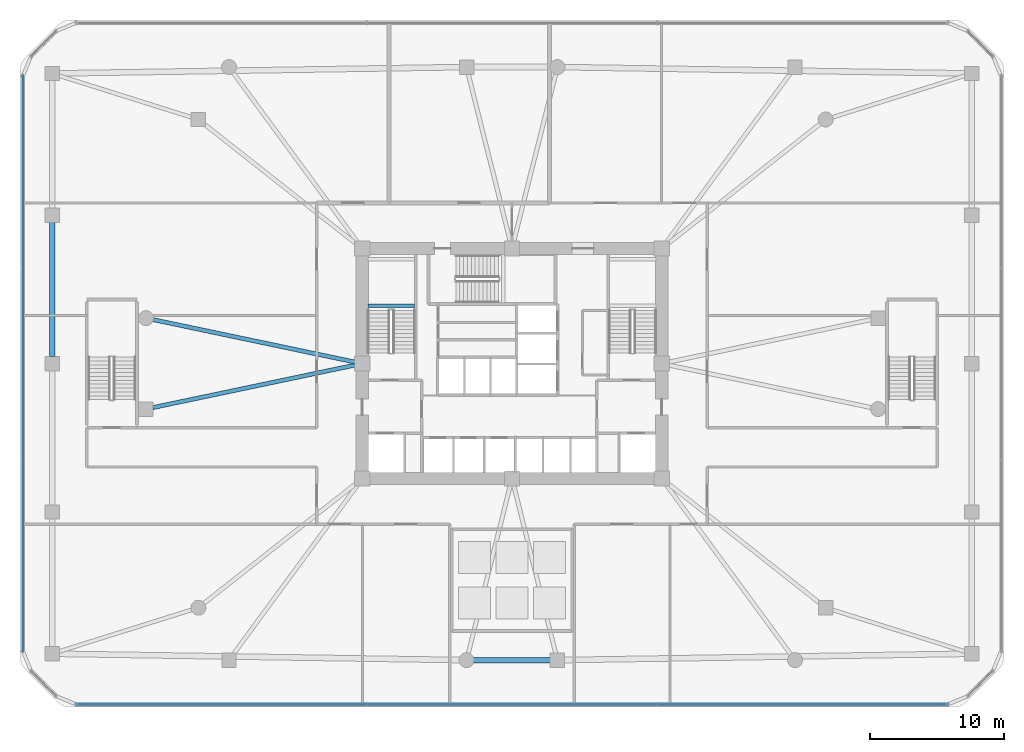
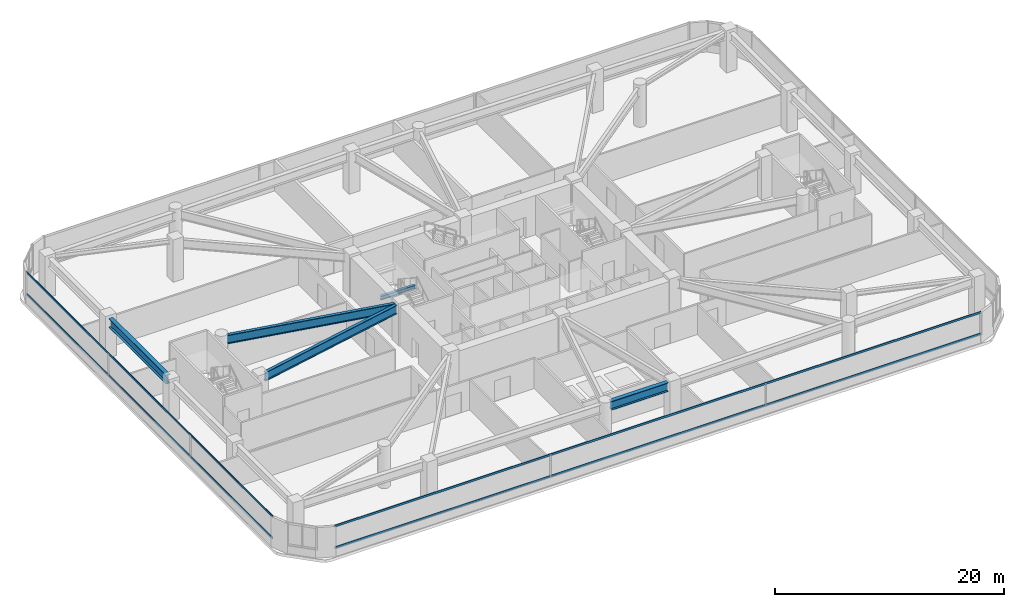
# One storey, part 3 of 21: 5 beams, 4 members, 2 elements without a shape of their own.
"""IFC4 building model written with IfcOpenShell, lengths in metres."""

from ifc_helpers import new_model, si_unit, derived_unit, direction, frame, origin, origin_2d, place, context, subcontext, project, spatial, rectangle, i_section, extrude, material, material_profile, profile_set, type_object, element, aggregate, save


model = new_model("IFC4")

# Units and contexts
model_context = context("Model", 3, precision=1e-05, world=origin(), true_north=direction((0.0, 1.0)))
body_context = subcontext(model_context, "Body", "Model", "MODEL_VIEW")
ifc_project = project(units=[si_unit("LENGTHUNIT", "METRE"), si_unit("AREAUNIT", "SQUARE_METRE"), si_unit("VOLUMEUNIT", "CUBIC_METRE"), si_unit("PLANEANGLEUNIT", "RADIAN"), si_unit("MASSUNIT", "GRAM", prefix="KILO"), derived_unit("THERMALTRANSMITTANCEUNIT", [(si_unit("POWERUNIT", "WATT"), 1), (si_unit("LENGTHUNIT", "METRE"), -2), (si_unit("THERMODYNAMICTEMPERATUREUNIT", "KELVIN"), -1)])], contexts=[model_context])

# Site, building, storey
site_placement = place(None, origin())
site = spatial("IfcSite", under=ifc_project, at=site_placement, CompositionType="ELEMENT")
building_placement = place(site_placement, origin())
building = spatial("IfcBuilding", under=site, at=building_placement, Name="Koralith Skygarden Medical Center", CompositionType="ELEMENT")
storey_placement = place(building_placement, frame((0.0, 0.0, 9.89990234375)))
storey = spatial("IfcBuildingStorey", under=building, at=storey_placement, Name="L02", CompositionType="ELEMENT", Elevation=9.89990234375)

# Curtain wall, members
ifc_material_1 = material(Name="Clear Laminated Glass", Category="glass")
curtain_wall_type = type_object("IfcCurtainWallType", Name="CW-1 Transit & Podium Acoustic Curtain Wall", PredefinedType="NOTDEFINED", material=ifc_material_1)
curtain_wall_1_placement = place(storey_placement, origin())
curtain_wall_1 = element("IfcCurtainWall", 1, at=curtain_wall_1_placement, inside=storey, type_object=curtain_wall_type, Name="Curtain Wall CW-L02-S", PredefinedType="NOTDEFINED")
ifc_material_2 = material(Name="Aluminium 6063-T6", Category="aluminium")
ifc_material_profile_1 = material_profile(ifc_material_2, rectangle(XDim=0.06298828125, YDim=0.216064453125, at=origin_2d()), Name="TRN63X216")
ifc_profile_set_1 = profile_set([ifc_material_profile_1], Name="Aluminium 6063-T6")
member_type = type_object("IfcMemberType", Name="CW-1 Thermal Transom 63x216", PredefinedType="USERDEFINED", material=ifc_profile_set_1)
member_1_placement = place(storey_placement, frame((4.37890625, 0.419921875, 0.900146484375), z_axis=(1.0, 0.0, 0.0), x_axis=(0.0, 1.0, 0.0)))
member_1 = element("IfcMember", 2, at=member_1_placement, type_object=member_type, Name="CW-L02-S Transom 1", ObjectType="TRANSOM", PredefinedType="USERDEFINED", context=body_context, shape_type="SweptSolid", body=[
    extrude(rectangle(XDim=0.06298828125, YDim=0.216064453125, at=origin_2d()), origin(), (0.0, 0.0, 1.0), 65.2421875),
])
member_2_placement = place(storey_placement, frame((4.37890625, 0.419921875, 3.190185546875), z_axis=(1.0, 0.0, 0.0), x_axis=(0.0, 1.0, 0.0)))
member_2 = element("IfcMember", 3, at=member_2_placement, type_object=member_type, Name="CW-L02-S Transom 2", ObjectType="TRANSOM", PredefinedType="USERDEFINED", context=body_context, shape_type="SweptSolid", body=[
    extrude(rectangle(XDim=0.06298828125, YDim=0.216064453125, at=origin_2d()), origin(), (0.0, 0.0, 1.0), 65.2421875),
])
aggregate(curtain_wall_1, [member_1, member_2])

curtain_wall_2_placement = place(storey_placement, origin())
curtain_wall_2 = element("IfcCurtainWall", 4, at=curtain_wall_2_placement, inside=storey, type_object=curtain_wall_type, Name="Curtain Wall CW-L02-W", PredefinedType="NOTDEFINED")
member_3_placement = place(storey_placement, frame((0.419921875, 47.4208984375, 0.900146484375), z_axis=(0.0, -1.0, 0.0), x_axis=(1.0, 0.0, 0.0)))
member_3 = element("IfcMember", 5, at=member_3_placement, type_object=member_type, Name="CW-L02-W Transom 1", ObjectType="TRANSOM", PredefinedType="USERDEFINED", context=body_context, shape_type="SweptSolid", body=[
    extrude(rectangle(XDim=0.06298828125, YDim=0.216064453125, at=origin_2d()), origin(), (0.0, 0.0, 1.0), 43.0419921875),
])
member_4_placement = place(storey_placement, frame((0.419921875, 47.4208984375, 3.190185546875), z_axis=(0.0, -1.0, 0.0), x_axis=(1.0, 0.0, 0.0)))
member_4 = element("IfcMember", 6, at=member_4_placement, type_object=member_type, Name="CW-L02-W Transom 2", ObjectType="TRANSOM", PredefinedType="USERDEFINED", context=body_context, shape_type="SweptSolid", body=[
    extrude(rectangle(XDim=0.06298828125, YDim=0.216064453125, at=origin_2d()), origin(), (0.0, 0.0, 1.0), 43.0419921875),
])
aggregate(curtain_wall_2, [member_3, member_4])

# Beams
ifc_material_3 = material(Name="Steel ASTM A992 Grade 50", Category="steel")
ifc_material_profile_2 = material_profile(ifc_material_3, i_section(OverallWidth=0.260009765625, OverallDepth=0.4150390625, WebThickness=0.010009765625, FlangeThickness=0.016845703125, at=origin_2d()), Name="W16X67")
ifc_profile_set_2 = profile_set([ifc_material_profile_2], Name="Steel ASTM A992 Grade 50")
beam_type_1 = type_object("IfcBeamType", Name="Clinical Floor Joist W16X67", PredefinedType="JOIST", material=ifc_profile_set_2)
beam_1_placement = place(storey_placement, frame((26.22998046875, 30.239990234375, 1.843017578125), z_axis=(1.0, 0.0, 0.0), x_axis=(0.0, 1.0, 0.0)))
element("IfcBeam", 7, at=beam_1_placement, inside=storey, type_object=beam_type_1, Name="L02 Stair ST1 Half-Landing Support Beam 1A", PredefinedType="JOIST", context=body_context, shape_type="SweptSolid", body=[
    extrude(i_section(OverallWidth=0.260009765625, OverallDepth=0.4150390625, WebThickness=0.010009765625, FlangeThickness=0.016845703125, at=origin_2d()), origin(), (0.0, 0.0, 1.0), 3.489990234375),
])
ifc_material_profile_3 = material_profile(ifc_material_3, i_section(OverallWidth=0.423095703125, OverallDepth=0.947998046875, WebThickness=0.02392578125, FlangeThickness=0.042724609375, at=origin_2d()), Name="W36X302")
ifc_profile_set_3 = profile_set([ifc_material_profile_3], Name="Steel ASTM A992 Grade 50")
beam_type_2 = type_object("IfcBeamType", Name="Podium Concourse Girder W36X302", PredefinedType="BEAM", material=ifc_profile_set_3)
beam_2_placement = place(storey_placement, frame((34.1201171875, 3.719970703125, 3.72607421875), z_axis=(1.0, 0.0, 0.0), x_axis=(0.0, 1.0, 0.0)))
element("IfcBeam", 8, at=beam_2_placement, inside=storey, type_object=beam_type_2, Name="L02 Podium Perimeter Beam PB-03", PredefinedType="BEAM", context=body_context, shape_type="SweptSolid", body=[
    extrude(i_section(OverallWidth=0.423095703125, OverallDepth=0.947998046875, WebThickness=0.02392578125, FlangeThickness=0.042724609375, at=origin_2d()), origin(), (0.0, 0.0, 1.0), 5.759765625),
])
beam_3_placement = place(storey_placement, frame((2.60009765625, 36.47998046875, 3.72607421875), z_axis=(0.0, -1.0, 0.0), x_axis=(1.0, 0.0, 0.0)))
element("IfcBeam", 9, at=beam_3_placement, inside=storey, type_object=beam_type_2, Name="L02 Podium Perimeter Beam PB-13", PredefinedType="BEAM", context=body_context, shape_type="SweptSolid", body=[
    extrude(i_section(OverallWidth=0.423095703125, OverallDepth=0.947998046875, WebThickness=0.02392578125, FlangeThickness=0.042724609375, at=origin_2d()), origin(), (0.0, 0.0, 1.0), 10.06005859375),
])
ifc_material_profile_4 = material_profile(ifc_material_3, i_section(OverallWidth=0.30810546875, OverallDepth=0.943115234375, WebThickness=0.022216796875, FlangeThickness=0.039794921875, at=origin_2d()), Name="W36X232")
ifc_profile_set_4 = profile_set([ifc_material_profile_4], Name="Steel ASTM A992 Grade 50")
beam_type_3 = type_object("IfcBeamType", Name="Surgical Platform Girder W36X232", PredefinedType="BEAM", material=ifc_profile_set_4)
for number, where, z_axis, x_axis, name in (
    (10, (25.251953125, 25.784912109375, 3.72802734375), (-0.978625652149, -0.205649782288, 0.0), (0.205649782288, -0.978625652149, 0.0), "L02 Podium Radial Girder PRG-01"),
    (11, (25.251953125, 26.014892578125, 3.72802734375), (-0.978622472518, 0.205664912619, 0.0), (-0.205664912619, -0.978622472518, 0.0), "L02 Podium Radial Girder PRG-16"),
):
    element("IfcBeam", number, at=place(storey_placement, frame(where, z_axis=z_axis, x_axis=x_axis)), inside=storey, type_object=beam_type_3, Name=name, PredefinedType="BEAM", context=body_context, shape_type="SweptSolid", body=[
        extrude(i_section(OverallWidth=0.30810546875, OverallDepth=0.943115234375, WebThickness=0.022216796875, FlangeThickness=0.039794921875, at=origin_2d()), origin(), (0.0, 0.0, 1.0), 15.453369140625),
    ])

save(model, "model.ifc")
